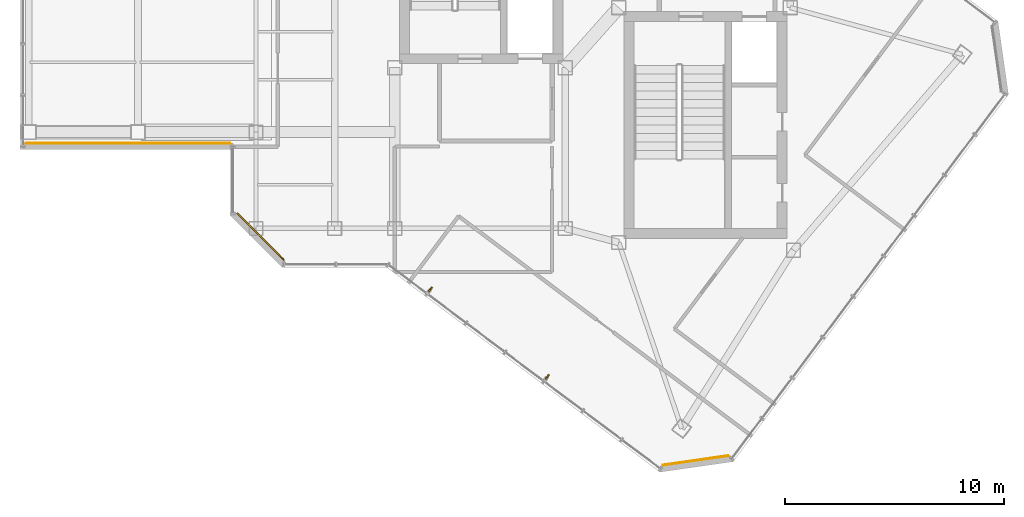
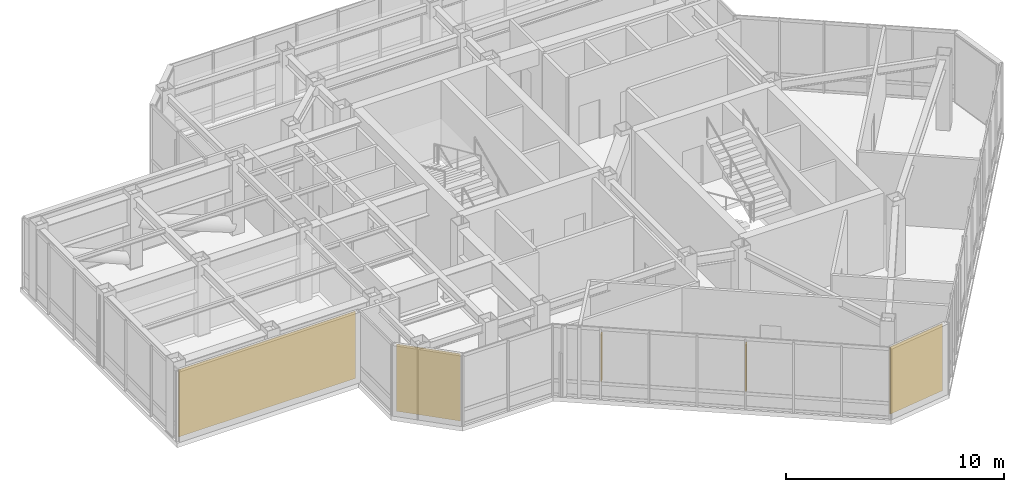
# One storey, part 20 of 22: 3 coverings, 2 shading devices.
"""IFC4 building model written with IfcOpenShell, lengths in metres."""

from ifc_helpers import new_model, si_unit, direction, frame, origin, origin_2d, place, context, subcontext, project, spatial, rectangle, extrude, material, layer, layer_set, type_object, element, save


model = new_model("IFC4")

# Units and contexts
model_context = context("Model", 3, precision=1e-05, world=origin(), true_north=direction((0.0, 1.0)))
body_context = subcontext(model_context, "Body", "Model", "MODEL_VIEW")
ifc_project = project(units=[si_unit("LENGTHUNIT", "METRE"), si_unit("AREAUNIT", "SQUARE_METRE"), si_unit("VOLUMEUNIT", "CUBIC_METRE"), si_unit("PLANEANGLEUNIT", "RADIAN"), si_unit("MASSUNIT", "GRAM", prefix="KILO")], contexts=[model_context])

# Site, building, storey
site_placement = place(None, origin())
site = spatial("IfcSite", under=ifc_project, at=site_placement, CompositionType="ELEMENT")
building_placement = place(site_placement, origin())
building = spatial("IfcBuilding", under=site, at=building_placement, Name="Hatsunagi Terrace Concourse", CompositionType="ELEMENT")
storey_placement = place(building_placement, frame((0.0, 0.0, 257.550048828125)))
storey = spatial("IfcBuildingStorey", under=building, at=storey_placement, Name="L68", CompositionType="ELEMENT", Elevation=257.550048828125)

# Shading devices
ifc_material_1 = material(Name="Extruded Unglazed Terracotta Baguette", Category="masonry")
shading_device_type = type_object("IfcShadingDeviceType", Name="TerracottaFinScreen_260x70", PredefinedType="USERDEFINED", material=ifc_material_1)
for number, where, z_axis, x_axis, name in (
    (1, (32.52294921875, 18.39501953125, 0.849853515625), (0.0, 0.0, 1.0), (-0.800007305671, 0.599990258982, 0.0), "Terracotta Baguette Fin Screen SCR-01"),
    (2, (27.178955078125, 22.404052734375, 0.849853515625), (0.0, 0.0, 1.0), (-0.800007305671, 0.599990258982, 0.0), "Terracotta Baguette Fin Screen SCR-01"),
):
    element("IfcShadingDevice", number, at=place(storey_placement, frame(where, z_axis=z_axis, x_axis=x_axis)), inside=storey, type_object=shading_device_type, Name=name, ObjectType="SUNSHADE", PredefinedType="USERDEFINED", context=body_context, shape_type="SweptSolid", body=[
        extrude(rectangle(XDim=0.070068359375, YDim=0.260009765625, at=origin_2d()), origin(), (0.0, 0.0, 1.0), 2.60009765625),
    ])

# Coverings
ifc_material_2 = material(Name="Unglazed Warm Terracotta Rainscreen Tile", Category="masonry")
ifc_layer = layer(ifc_material_2, 0.044921875)
ifc_layer_set = layer_set([ifc_layer], Name="TerracottaRainscreenCladding_45")
covering_type = type_object("IfcCoveringType", Name="TerracottaRainscreenCladding_45", PredefinedType="CLADDING", material=ifc_layer_set)
for number, where, z_axis, x_axis, name in (
    (3, (39.318115234375, 14.5791015625, 0.099853515625), (0.0, 0.0, 1.0), (-0.989973920543, -0.141250262458, 0.0), "Terracotta Rainscreen Cladding L68-09"),
    (4, (19.4140625, 24.81396484375, 0.099853515625), (0.0, 0.0, 1.0), (-0.707106781187, 0.707106781187, 0.0), "Terracotta Rainscreen Cladding L68-12"),
):
    element("IfcCovering", number, at=place(storey_placement, frame(where, z_axis=z_axis, x_axis=x_axis)), inside=storey, type_object=covering_type, Name=name, PredefinedType="CLADDING", context=body_context, shape_type="SweptSolid", body=[
        extrude(rectangle(XDim=3.0380859375, YDim=0.044921875, at=origin_2d()), origin(), (0.0, 0.0, 1.0), 3.75),
    ])
covering_placement = place(storey_placement, frame((13.340087890625, 29.10205078125, 0.099853515625), z_axis=(0.0, 0.0, 1.0), x_axis=(-1.0, 0.0, 0.0)))
element("IfcCovering", 5, at=covering_placement, inside=storey, type_object=covering_type, Name="Terracotta Rainscreen Cladding L68-14", PredefinedType="CLADDING", context=body_context, shape_type="SweptSolid", body=[
    extrude(rectangle(XDim=9.360107421875, YDim=0.044921875, at=origin_2d()), origin(), (0.0, 0.0, 1.0), 3.75),
])

save(model, "model.ifc")
